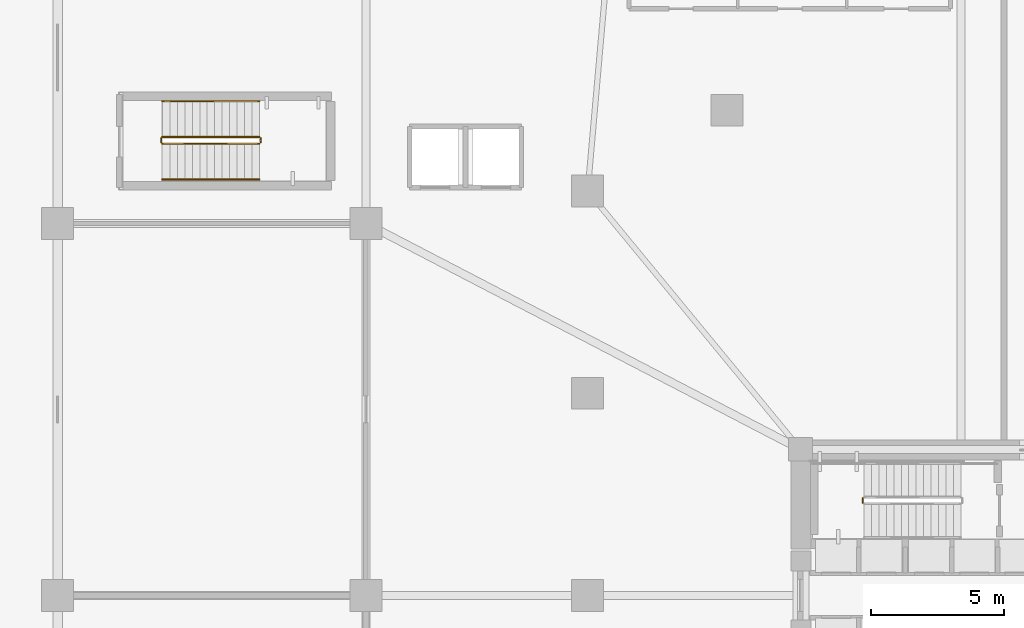
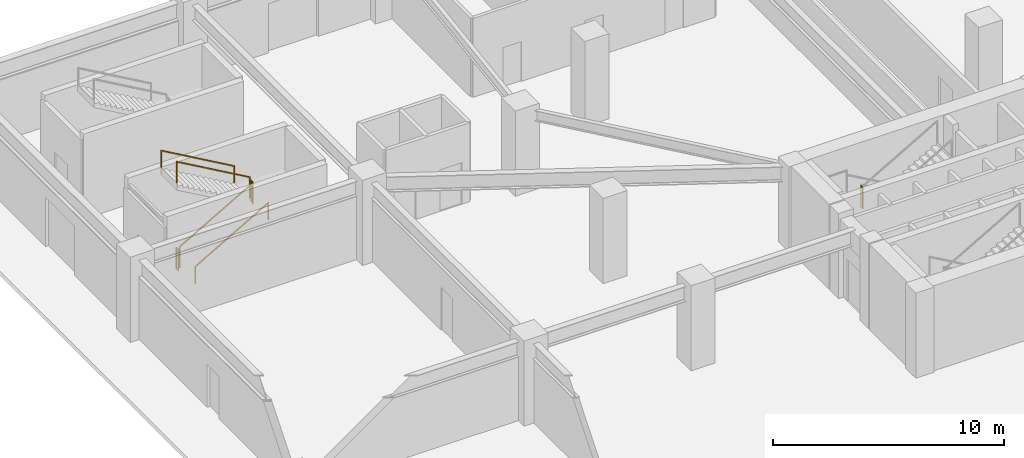
# One storey, part 13 of 18: 7 railings.
"""IFC4 building model written with IfcOpenShell, lengths in metres."""

from ifc_helpers import new_model, si_unit, direction, frame, origin, origin_2d, place, context, subcontext, project, spatial, rectangle, extrude, material, type_object, element, save


model = new_model("IFC4")

# Units and contexts
model_context = context("Model", 3, precision=1e-05, world=origin(), true_north=direction((0.0, 1.0)))
body_context = subcontext(model_context, "Body", "Model", "MODEL_VIEW")
ifc_project = project(units=[si_unit("LENGTHUNIT", "METRE"), si_unit("AREAUNIT", "SQUARE_METRE"), si_unit("VOLUMEUNIT", "CUBIC_METRE"), si_unit("PLANEANGLEUNIT", "RADIAN"), si_unit("MASSUNIT", "GRAM", prefix="KILO")], contexts=[model_context])

# Site, building, storey
site_placement = place(None, origin())
site = spatial("IfcSite", under=ifc_project, at=site_placement, CompositionType="ELEMENT")
building_placement = place(site_placement, origin())
building = spatial("IfcBuilding", under=site, at=building_placement, Name="Yunling Apex Tower", CompositionType="ELEMENT")
storey_placement = place(building_placement, origin())
storey = spatial("IfcBuildingStorey", under=building, at=storey_placement, Name="L01", CompositionType="ELEMENT", Elevation=0.0)

# Railings
ifc_material_1 = material(Name="Steel Q355B", Category="steel")
railing_type_1 = type_object("IfcRailingType", Name="RL-GRD-1150", PredefinedType="GUARDRAIL", material=ifc_material_1)
railing_1_placement = place(storey_placement, frame((-3.699951171875, 3.64990234375, 2.25)))
element("IfcRailing", 1, at=railing_1_placement, inside=storey, type_object=railing_type_1, Name="L01 ST-1 stair guard 2", PredefinedType="GUARDRAIL", context=body_context, shape_type="SweptSolid", body=[
    extrude(rectangle(XDim=0.0439453125, YDim=0.0439453125, at=origin_2d()), origin(), (0.0, 0.0, 1.0), 1.14990234375),
    extrude(rectangle(XDim=0.0439453125, YDim=0.0439453125, at=origin_2d()), frame((0.0, -0.14990234375, 0.0)), (0.0, 0.0, 1.0), 1.14990234375),
    extrude(rectangle(XDim=0.050048828125, YDim=0.050048828125, at=origin_2d()), frame((0.0, -0.038330078125, 1.125), z_axis=(0.0, -1.0, 0.0), x_axis=(1.0, 0.0, 0.0)), (0.0, 0.0, 1.0), 0.0732421875),
])
railing_2_placement = place(storey_placement, frame((-30.050048828125, 17.0, 0.16064453125)))
element("IfcRailing", 2, at=railing_2_placement, inside=storey, type_object=railing_type_1, Name="L01 ST-P1 stair guard 1", PredefinedType="GUARDRAIL", context=body_context, shape_type="SweptSolid", body=[
    extrude(rectangle(XDim=0.0439453125, YDim=0.0439453125, at=origin_2d()), origin(), (0.0, 0.0, 1.0), 1.14990234375),
    extrude(rectangle(XDim=0.0439453125, YDim=0.0439453125, at=origin_2d()), frame((3.64013671875, 0.0, 2.08935546875)), (0.0, 0.0, 1.0), 1.14990234375),
    extrude(rectangle(XDim=0.050048828125, YDim=0.050048828125, at=origin_2d()), frame((0.033203125, 0.0, 1.14404296875), z_axis=(0.867289372828, 0.0, 0.497804322781), x_axis=(0.0, 1.0, 0.0)), (0.0, 0.0, 1.0), 4.120361328125),
])
railing_3_placement = place(storey_placement, frame((-26.360107421875, 17.050048828125, 2.25)))
element("IfcRailing", 3, at=railing_3_placement, inside=storey, type_object=railing_type_1, Name="L01 ST-P1 stair guard 2", PredefinedType="GUARDRAIL", context=body_context, shape_type="SweptSolid", body=[
    extrude(rectangle(XDim=0.0439453125, YDim=0.0439453125, at=origin_2d()), origin(), (0.0, 0.0, 1.0), 1.14990234375),
    extrude(rectangle(XDim=0.0439453125, YDim=0.0439453125, at=origin_2d()), frame((0.0, 0.14990234375, 0.0)), (0.0, 0.0, 1.0), 1.14990234375),
    extrude(rectangle(XDim=0.050048828125, YDim=0.050048828125, at=origin_2d()), frame((0.0, 0.038330078125, 1.125), z_axis=(0.0, 1.0, 0.0), x_axis=(-1.0, 0.0, 0.0)), (0.0, 0.0, 1.0), 0.0732421875),
])
railing_4_placement = place(storey_placement, frame((-26.409912109375, 17.25, 2.41064453125)))
element("IfcRailing", 4, at=railing_4_placement, inside=storey, type_object=railing_type_1, Name="L01 ST-P1 stair guard 3", PredefinedType="GUARDRAIL", context=body_context, shape_type="SweptSolid", body=[
    extrude(rectangle(XDim=0.0439453125, YDim=0.0439453125, at=origin_2d()), origin(), (0.0, 0.0, 1.0), 1.14990234375),
    extrude(rectangle(XDim=0.0439453125, YDim=0.0439453125, at=origin_2d()), frame((-3.64013671875, 0.0, 2.08935546875)), (0.0, 0.0, 1.0), 1.14990234375),
    extrude(rectangle(XDim=0.050048828125, YDim=0.050048828125, at=origin_2d()), frame((-0.033203125, 0.0, 1.14404296875), z_axis=(-0.867289372828, 0.0, 0.497804322781), x_axis=(0.0, -1.0, 0.0)), (0.0, 0.0, 1.0), 4.120361328125),
])
railing_5_placement = place(storey_placement, frame((-30.10009765625, 17.050048828125, 0.0)))
element("IfcRailing", 5, at=railing_5_placement, inside=storey, type_object=railing_type_1, Name="L01 ST-P1 stair guard 4", PredefinedType="GUARDRAIL", context=body_context, shape_type="SweptSolid", body=[
    extrude(rectangle(XDim=0.0439453125, YDim=0.0439453125, at=origin_2d()), origin(), (0.0, 0.0, 1.0), 1.14990234375),
    extrude(rectangle(XDim=0.0439453125, YDim=0.0439453125, at=origin_2d()), frame((0.0, 0.14990234375, 0.0)), (0.0, 0.0, 1.0), 1.14990234375),
    extrude(rectangle(XDim=0.050048828125, YDim=0.050048828125, at=origin_2d()), frame((0.0, 0.038330078125, 1.125), z_axis=(0.0, 1.0, 0.0), x_axis=(-1.0, 0.0, 0.0)), (0.0, 0.0, 1.0), 0.0732421875),
])
ifc_material_2 = material(Name="Silver anodised aluminium", Category="aluminium")
railing_type_2 = type_object("IfcRailingType", Name="RL-HND-900", PredefinedType="HANDRAIL", material=ifc_material_2)
railing_6_placement = place(storey_placement, frame((-30.050048828125, 15.64990234375, 0.16064453125)))
element("IfcRailing", 6, at=railing_6_placement, inside=storey, type_object=railing_type_2, Name="L01 ST-P1 stair handrail 1", PredefinedType="HANDRAIL", context=body_context, shape_type="SweptSolid", body=[
    extrude(rectangle(XDim=0.0439453125, YDim=0.0439453125, at=origin_2d()), origin(), (0.0, 0.0, 1.0), 0.919921875),
    extrude(rectangle(XDim=0.0439453125, YDim=0.0439453125, at=origin_2d()), frame((3.64013671875, 0.0, 2.08935546875)), (0.0, 0.0, 1.0), 0.919921875),
    extrude(rectangle(XDim=0.050048828125, YDim=0.050048828125, at=origin_2d()), frame((0.033203125, 0.0, 0.9140625), z_axis=(0.867289372828, 0.0, 0.497804322781), x_axis=(0.0, 1.0, 0.0)), (0.0, 0.0, 1.0), 4.120361328125),
])
railing_7_placement = place(storey_placement, frame((-26.409912109375, 18.60009765625, 2.41064453125)))
element("IfcRailing", 7, at=railing_7_placement, inside=storey, type_object=railing_type_2, Name="L01 ST-P1 stair handrail 2", PredefinedType="HANDRAIL", context=body_context, shape_type="SweptSolid", body=[
    extrude(rectangle(XDim=0.0439453125, YDim=0.0439453125, at=origin_2d()), origin(), (0.0, 0.0, 1.0), 0.919921875),
    extrude(rectangle(XDim=0.0439453125, YDim=0.0439453125, at=origin_2d()), frame((-3.64013671875, 0.0, 2.08935546875)), (0.0, 0.0, 1.0), 0.919921875),
    extrude(rectangle(XDim=0.050048828125, YDim=0.050048828125, at=origin_2d()), frame((-0.033203125, 0.0, 0.9140625), z_axis=(-0.867289372828, 0.0, 0.497804322781), x_axis=(0.0, -1.0, 0.0)), (0.0, 0.0, 1.0), 4.120361328125),
])

save(model, "model.ifc")
